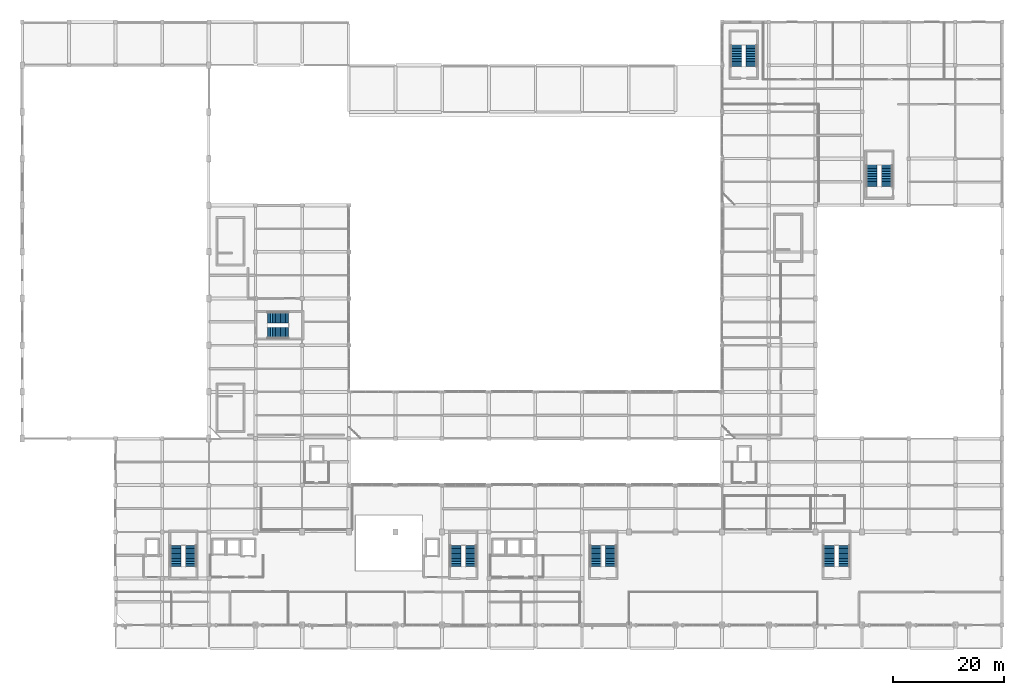
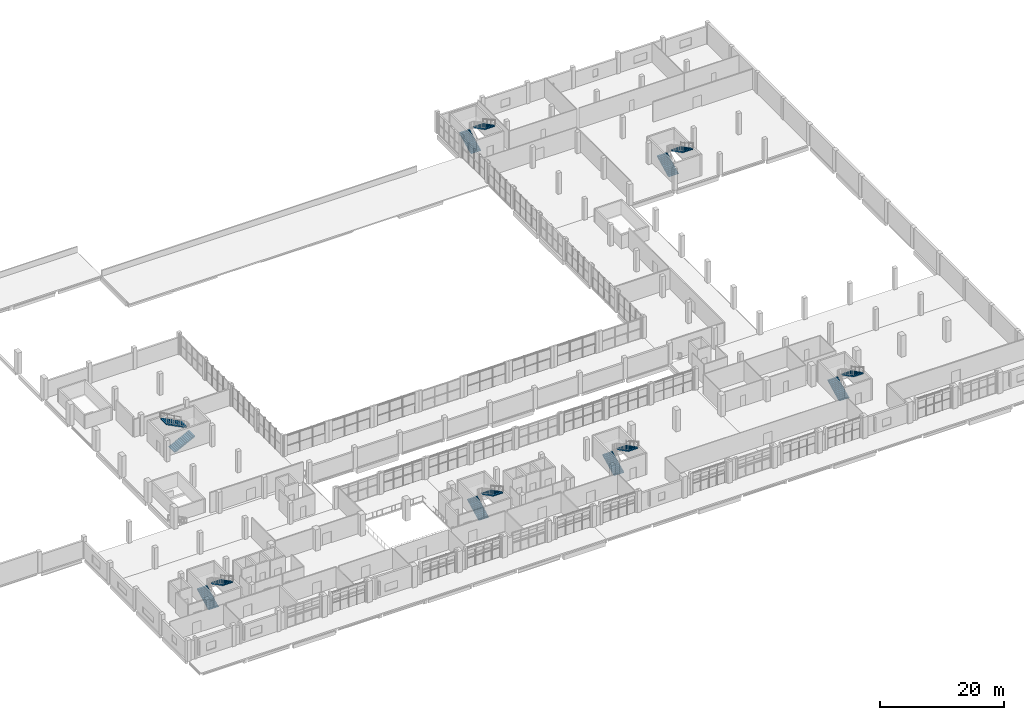
# One storey, part 55 of 59: 14 stair flights, 7 elements without a shape of their own.
"""IFC4 building model written with IfcOpenShell, lengths in metres."""

from ifc_helpers import new_model, si_unit, derived_unit, direction, frame, origin, place, context, subcontext, project, spatial, polyline, outline, extrude, material, type_object, element, aggregate, save


model = new_model("IFC4")

# Units and contexts
model_context = context("Model", 3, precision=1e-05, world=origin(), true_north=direction((0.0, 1.0)))
body_context = subcontext(model_context, "Body", "Model", "MODEL_VIEW")
ifc_project = project(units=[si_unit("LENGTHUNIT", "METRE"), si_unit("AREAUNIT", "SQUARE_METRE"), si_unit("VOLUMEUNIT", "CUBIC_METRE"), si_unit("PLANEANGLEUNIT", "RADIAN"), si_unit("MASSUNIT", "GRAM", prefix="KILO"), derived_unit("THERMALTRANSMITTANCEUNIT", [(si_unit("POWERUNIT", "WATT"), 1), (si_unit("LENGTHUNIT", "METRE"), -2), (si_unit("THERMODYNAMICTEMPERATUREUNIT", "KELVIN"), -1)])], contexts=[model_context])

# Site, building, storey
site_placement = place(None, origin())
site = spatial("IfcSite", under=ifc_project, at=site_placement, CompositionType="ELEMENT")
building_placement = place(site_placement, origin())
building = spatial("IfcBuilding", under=site, at=building_placement, Name="Barrovel Congress Hotel", CompositionType="ELEMENT")
storey_placement = place(building_placement, frame((0.0, 0.0, 9.89990234375)))
storey = spatial("IfcBuildingStorey", under=building, at=storey_placement, Name="L02", CompositionType="ELEMENT", Elevation=9.89990234375)

# Stair, stair flights
ifc_material = material(Name="Concrete C40", Category="concrete")
stair_type_1 = type_object("IfcStairType", Name="STR-HT-420", PredefinedType="HALF_TURN_STAIR", material=ifc_material)
stair_1_placement = place(storey_placement, origin())
stair_1 = element("IfcStair", 1, at=stair_1_placement, inside=storey, type_object=stair_type_1, Name="Exit Stair XS-01 (L02)", PredefinedType="HALF_TURN_STAIR")
stair_flight_type_1 = type_object("IfcStairFlightType", Name="SFL-200x210", PredefinedType="STRAIGHT", material=ifc_material)
stair_flight_1_placement = place(storey_placement, frame((27.68994140625, 14.739990234375, 0.0), z_axis=(0.0, 0.0, 1.0), x_axis=(0.0, 1.0, 0.0)))
stair_flight_1 = element("IfcStairFlight", 2, at=stair_flight_1_placement, type_object=stair_flight_type_1, Name="STAIR:XS-01:L02:F1", NumberOfRisers=14, NumberOfTreads=13, PredefinedType="STRAIGHT", RiserHeight=0.15, TreadLength=0.295, context=body_context, shape_type="SweptSolid", body=[
    extrude(outline(polyline([(0.0, 0.0), (0.0, 0.14990234375), (0.294921875, 0.14990234375), (0.294921875, 0.300048828125), (0.590087890625, 0.300048828125), (0.590087890625, 0.449951171875), (0.885009765625, 0.449951171875), (0.885009765625, 0.60009765625), (1.179931640625, 0.60009765625), (1.179931640625, 0.75), (1.47509765625, 0.75), (1.47509765625, 0.89990234375), (1.77001953125, 0.89990234375), (1.77001953125, 1.050048828125), (2.06494140625, 1.050048828125), (2.06494140625, 1.199951171875), (2.360107421875, 1.199951171875), (2.360107421875, 1.35009765625), (2.655029296875, 1.35009765625), (2.655029296875, 1.5), (2.949951171875, 1.5), (2.949951171875, 1.64990234375), (3.2451171875, 1.64990234375), (3.2451171875, 1.800048828125), (3.5400390625, 1.800048828125), (3.5400390625, 1.949951171875), (3.8349609375, 1.949951171875), (3.8349609375, 2.10009765625), (3.8349609375, 1.748046875), (0.39697265625, 0.0), (0.0, 0.0)])), frame((0.0, 0.93017578125, 0.0), z_axis=(0.0, -1.0, 0.0), x_axis=(1.0, 0.0, 0.0)), (0.0, 0.0, 1.0), 1.860107421875),
])
stair_flight_2_placement = place(storey_placement, frame((30.31005859375, 18.574951171875, 2.10009765625), z_axis=(0.0, 0.0, 1.0), x_axis=(0.0, -1.0, 0.0)))
stair_flight_2 = element("IfcStairFlight", 3, at=stair_flight_2_placement, type_object=stair_flight_type_1, Name="STAIR:XS-01:L02:F2", NumberOfRisers=14, NumberOfTreads=13, PredefinedType="STRAIGHT", RiserHeight=0.15, TreadLength=0.295, context=body_context, shape_type="SweptSolid", body=[
    extrude(outline(polyline([(0.0, 0.0), (0.0, 0.14990234375), (0.294921875, 0.14990234375), (0.294921875, 0.300048828125), (0.590087890625, 0.300048828125), (0.590087890625, 0.449951171875), (0.885009765625, 0.449951171875), (0.885009765625, 0.60009765625), (1.179931640625, 0.60009765625), (1.179931640625, 0.75), (1.47509765625, 0.75), (1.47509765625, 0.89990234375), (1.77001953125, 0.89990234375), (1.77001953125, 1.050048828125), (2.06494140625, 1.050048828125), (2.06494140625, 1.199951171875), (2.360107421875, 1.199951171875), (2.360107421875, 1.35009765625), (2.655029296875, 1.35009765625), (2.655029296875, 1.5), (2.949951171875, 1.5), (2.949951171875, 1.64990234375), (3.2451171875, 1.64990234375), (3.2451171875, 1.800048828125), (3.5400390625, 1.800048828125), (3.5400390625, 1.949951171875), (3.8349609375, 1.949951171875), (3.8349609375, 2.10009765625), (3.8349609375, 1.748046875), (0.39697265625, 0.0), (0.0, 0.0)])), frame((0.0, 0.93017578125, 0.0), z_axis=(0.0, -1.0, 0.0), x_axis=(1.0, 0.0, 0.0)), (0.0, 0.0, 1.0), 1.860107421875),
])
aggregate(stair_1, [stair_flight_1, stair_flight_2])

stair_2_placement = place(storey_placement, origin())
stair_2 = element("IfcStair", 4, at=stair_2_placement, inside=storey, type_object=stair_type_1, Name="Exit Stair XS-02 (L02)", PredefinedType="HALF_TURN_STAIR")
stair_flight_3_placement = place(storey_placement, frame((78.090087890625, 14.739990234375, 0.0), z_axis=(0.0, 0.0, 1.0), x_axis=(0.0, 1.0, 0.0)))
stair_flight_3 = element("IfcStairFlight", 5, at=stair_flight_3_placement, type_object=stair_flight_type_1, Name="STAIR:XS-02:L02:F1", NumberOfRisers=14, NumberOfTreads=13, PredefinedType="STRAIGHT", RiserHeight=0.15, TreadLength=0.295, context=body_context, shape_type="SweptSolid", body=[
    extrude(outline(polyline([(0.0, 0.0), (0.0, 0.14990234375), (0.294921875, 0.14990234375), (0.294921875, 0.300048828125), (0.590087890625, 0.300048828125), (0.590087890625, 0.449951171875), (0.885009765625, 0.449951171875), (0.885009765625, 0.60009765625), (1.179931640625, 0.60009765625), (1.179931640625, 0.75), (1.47509765625, 0.75), (1.47509765625, 0.89990234375), (1.77001953125, 0.89990234375), (1.77001953125, 1.050048828125), (2.06494140625, 1.050048828125), (2.06494140625, 1.199951171875), (2.360107421875, 1.199951171875), (2.360107421875, 1.35009765625), (2.655029296875, 1.35009765625), (2.655029296875, 1.5), (2.949951171875, 1.5), (2.949951171875, 1.64990234375), (3.2451171875, 1.64990234375), (3.2451171875, 1.800048828125), (3.5400390625, 1.800048828125), (3.5400390625, 1.949951171875), (3.8349609375, 1.949951171875), (3.8349609375, 2.10009765625), (3.8349609375, 1.748046875), (0.39697265625, 0.0), (0.0, 0.0)])), frame((0.0, 0.93017578125, 0.0), z_axis=(0.0, -1.0, 0.0), x_axis=(1.0, 0.0, 0.0)), (0.0, 0.0, 1.0), 1.860107421875),
])
stair_flight_4_placement = place(storey_placement, frame((80.7099609375, 18.574951171875, 2.10009765625), z_axis=(0.0, 0.0, 1.0), x_axis=(0.0, -1.0, 0.0)))
stair_flight_4 = element("IfcStairFlight", 6, at=stair_flight_4_placement, type_object=stair_flight_type_1, Name="STAIR:XS-02:L02:F2", NumberOfRisers=14, NumberOfTreads=13, PredefinedType="STRAIGHT", RiserHeight=0.15, TreadLength=0.295, context=body_context, shape_type="SweptSolid", body=[
    extrude(outline(polyline([(0.0, 0.0), (0.0, 0.14990234375), (0.294921875, 0.14990234375), (0.294921875, 0.300048828125), (0.590087890625, 0.300048828125), (0.590087890625, 0.449951171875), (0.885009765625, 0.449951171875), (0.885009765625, 0.60009765625), (1.179931640625, 0.60009765625), (1.179931640625, 0.75), (1.47509765625, 0.75), (1.47509765625, 0.89990234375), (1.77001953125, 0.89990234375), (1.77001953125, 1.050048828125), (2.06494140625, 1.050048828125), (2.06494140625, 1.199951171875), (2.360107421875, 1.199951171875), (2.360107421875, 1.35009765625), (2.655029296875, 1.35009765625), (2.655029296875, 1.5), (2.949951171875, 1.5), (2.949951171875, 1.64990234375), (3.2451171875, 1.64990234375), (3.2451171875, 1.800048828125), (3.5400390625, 1.800048828125), (3.5400390625, 1.949951171875), (3.8349609375, 1.949951171875), (3.8349609375, 2.10009765625), (3.8349609375, 1.748046875), (0.39697265625, 0.0), (0.0, 0.0)])), frame((0.0, 0.93017578125, 0.0), z_axis=(0.0, -1.0, 0.0), x_axis=(1.0, 0.0, 0.0)), (0.0, 0.0, 1.0), 1.860107421875),
])
aggregate(stair_2, [stair_flight_3, stair_flight_4])

stair_3_placement = place(storey_placement, origin())
stair_3 = element("IfcStair", 7, at=stair_3_placement, inside=storey, type_object=stair_type_1, Name="Exit Stair XS-03 (L02)", PredefinedType="HALF_TURN_STAIR")
stair_flight_5_placement = place(storey_placement, frame((103.2900390625, 14.739990234375, 0.0), z_axis=(0.0, 0.0, 1.0), x_axis=(0.0, 1.0, 0.0)))
stair_flight_5 = element("IfcStairFlight", 8, at=stair_flight_5_placement, type_object=stair_flight_type_1, Name="STAIR:XS-03:L02:F1", NumberOfRisers=14, NumberOfTreads=13, PredefinedType="STRAIGHT", RiserHeight=0.15, TreadLength=0.295, context=body_context, shape_type="SweptSolid", body=[
    extrude(outline(polyline([(0.0, 0.0), (0.0, 0.14990234375), (0.294921875, 0.14990234375), (0.294921875, 0.300048828125), (0.590087890625, 0.300048828125), (0.590087890625, 0.449951171875), (0.885009765625, 0.449951171875), (0.885009765625, 0.60009765625), (1.179931640625, 0.60009765625), (1.179931640625, 0.75), (1.47509765625, 0.75), (1.47509765625, 0.89990234375), (1.77001953125, 0.89990234375), (1.77001953125, 1.050048828125), (2.06494140625, 1.050048828125), (2.06494140625, 1.199951171875), (2.360107421875, 1.199951171875), (2.360107421875, 1.35009765625), (2.655029296875, 1.35009765625), (2.655029296875, 1.5), (2.949951171875, 1.5), (2.949951171875, 1.64990234375), (3.2451171875, 1.64990234375), (3.2451171875, 1.800048828125), (3.5400390625, 1.800048828125), (3.5400390625, 1.949951171875), (3.8349609375, 1.949951171875), (3.8349609375, 2.10009765625), (3.8349609375, 1.748046875), (0.39697265625, 0.0), (0.0, 0.0)])), frame((0.0, 0.93017578125, 0.0), z_axis=(0.0, -1.0, 0.0), x_axis=(1.0, 0.0, 0.0)), (0.0, 0.0, 1.0), 1.860107421875),
])
stair_flight_6_placement = place(storey_placement, frame((105.909912109375, 18.574951171875, 2.10009765625), z_axis=(0.0, 0.0, 1.0), x_axis=(0.0, -1.0, 0.0)))
stair_flight_6 = element("IfcStairFlight", 9, at=stair_flight_6_placement, type_object=stair_flight_type_1, Name="STAIR:XS-03:L02:F2", NumberOfRisers=14, NumberOfTreads=13, PredefinedType="STRAIGHT", RiserHeight=0.15, TreadLength=0.295, context=body_context, shape_type="SweptSolid", body=[
    extrude(outline(polyline([(0.0, 0.0), (0.0, 0.14990234375), (0.294921875, 0.14990234375), (0.294921875, 0.300048828125), (0.590087890625, 0.300048828125), (0.590087890625, 0.449951171875), (0.885009765625, 0.449951171875), (0.885009765625, 0.60009765625), (1.179931640625, 0.60009765625), (1.179931640625, 0.75), (1.47509765625, 0.75), (1.47509765625, 0.89990234375), (1.77001953125, 0.89990234375), (1.77001953125, 1.050048828125), (2.06494140625, 1.050048828125), (2.06494140625, 1.199951171875), (2.360107421875, 1.199951171875), (2.360107421875, 1.35009765625), (2.655029296875, 1.35009765625), (2.655029296875, 1.5), (2.949951171875, 1.5), (2.949951171875, 1.64990234375), (3.2451171875, 1.64990234375), (3.2451171875, 1.800048828125), (3.5400390625, 1.800048828125), (3.5400390625, 1.949951171875), (3.8349609375, 1.949951171875), (3.8349609375, 2.10009765625), (3.8349609375, 1.748046875), (0.39697265625, 0.0), (0.0, 0.0)])), frame((0.0, 0.93017578125, 0.0), z_axis=(0.0, -1.0, 0.0), x_axis=(1.0, 0.0, 0.0)), (0.0, 0.0, 1.0), 1.860107421875),
])
aggregate(stair_3, [stair_flight_5, stair_flight_6])

stair_4_placement = place(storey_placement, origin())
stair_4 = element("IfcStair", 10, at=stair_4_placement, inside=storey, type_object=stair_type_1, Name="Exit Stair XS-04 (L02)", PredefinedType="HALF_TURN_STAIR")
stair_flight_7_placement = place(storey_placement, frame((145.2900390625, 14.739990234375, 0.0), z_axis=(0.0, 0.0, 1.0), x_axis=(0.0, 1.0, 0.0)))
stair_flight_7 = element("IfcStairFlight", 11, at=stair_flight_7_placement, type_object=stair_flight_type_1, Name="STAIR:XS-04:L02:F1", NumberOfRisers=14, NumberOfTreads=13, PredefinedType="STRAIGHT", RiserHeight=0.15, TreadLength=0.295, context=body_context, shape_type="SweptSolid", body=[
    extrude(outline(polyline([(0.0, 0.0), (0.0, 0.14990234375), (0.294921875, 0.14990234375), (0.294921875, 0.300048828125), (0.590087890625, 0.300048828125), (0.590087890625, 0.449951171875), (0.885009765625, 0.449951171875), (0.885009765625, 0.60009765625), (1.179931640625, 0.60009765625), (1.179931640625, 0.75), (1.47509765625, 0.75), (1.47509765625, 0.89990234375), (1.77001953125, 0.89990234375), (1.77001953125, 1.050048828125), (2.06494140625, 1.050048828125), (2.06494140625, 1.199951171875), (2.360107421875, 1.199951171875), (2.360107421875, 1.35009765625), (2.655029296875, 1.35009765625), (2.655029296875, 1.5), (2.949951171875, 1.5), (2.949951171875, 1.64990234375), (3.2451171875, 1.64990234375), (3.2451171875, 1.800048828125), (3.5400390625, 1.800048828125), (3.5400390625, 1.949951171875), (3.8349609375, 1.949951171875), (3.8349609375, 2.10009765625), (3.8349609375, 1.748046875), (0.39697265625, 0.0), (0.0, 0.0)])), frame((0.0, 0.93017578125, 0.0), z_axis=(0.0, -1.0, 0.0), x_axis=(1.0, 0.0, 0.0)), (0.0, 0.0, 1.0), 1.860107421875),
])
stair_flight_8_placement = place(storey_placement, frame((147.909912109375, 18.574951171875, 2.10009765625), z_axis=(0.0, 0.0, 1.0), x_axis=(0.0, -1.0, 0.0)))
stair_flight_8 = element("IfcStairFlight", 12, at=stair_flight_8_placement, type_object=stair_flight_type_1, Name="STAIR:XS-04:L02:F2", NumberOfRisers=14, NumberOfTreads=13, PredefinedType="STRAIGHT", RiserHeight=0.15, TreadLength=0.295, context=body_context, shape_type="SweptSolid", body=[
    extrude(outline(polyline([(0.0, 0.0), (0.0, 0.14990234375), (0.294921875, 0.14990234375), (0.294921875, 0.300048828125), (0.590087890625, 0.300048828125), (0.590087890625, 0.449951171875), (0.885009765625, 0.449951171875), (0.885009765625, 0.60009765625), (1.179931640625, 0.60009765625), (1.179931640625, 0.75), (1.47509765625, 0.75), (1.47509765625, 0.89990234375), (1.77001953125, 0.89990234375), (1.77001953125, 1.050048828125), (2.06494140625, 1.050048828125), (2.06494140625, 1.199951171875), (2.360107421875, 1.199951171875), (2.360107421875, 1.35009765625), (2.655029296875, 1.35009765625), (2.655029296875, 1.5), (2.949951171875, 1.5), (2.949951171875, 1.64990234375), (3.2451171875, 1.64990234375), (3.2451171875, 1.800048828125), (3.5400390625, 1.800048828125), (3.5400390625, 1.949951171875), (3.8349609375, 1.949951171875), (3.8349609375, 2.10009765625), (3.8349609375, 1.748046875), (0.39697265625, 0.0), (0.0, 0.0)])), frame((0.0, 0.93017578125, 0.0), z_axis=(0.0, -1.0, 0.0), x_axis=(1.0, 0.0, 0.0)), (0.0, 0.0, 1.0), 1.860107421875),
])
aggregate(stair_4, [stair_flight_7, stair_flight_8])

stair_5_placement = place(storey_placement, origin())
stair_5 = element("IfcStair", 13, at=stair_5_placement, inside=storey, type_object=stair_type_1, Name="Exit Stair XS-06 (L02)", PredefinedType="HALF_TURN_STAIR")
stair_flight_9_placement = place(storey_placement, frame((152.989990234375, 83.179931640625, 0.0), z_axis=(0.0, 0.0, 1.0), x_axis=(0.0, 1.0, 0.0)))
stair_flight_9 = element("IfcStairFlight", 14, at=stair_flight_9_placement, type_object=stair_flight_type_1, Name="STAIR:XS-06:L02:F1", NumberOfRisers=14, NumberOfTreads=13, PredefinedType="STRAIGHT", RiserHeight=0.15, TreadLength=0.295, context=body_context, shape_type="SweptSolid", body=[
    extrude(outline(polyline([(0.0, 0.0), (0.0, 0.14990234375), (0.294921875, 0.14990234375), (0.294921875, 0.300048828125), (0.590087890625, 0.300048828125), (0.590087890625, 0.449951171875), (0.885009765625, 0.449951171875), (0.885009765625, 0.60009765625), (1.179931640625, 0.60009765625), (1.179931640625, 0.75), (1.47509765625, 0.75), (1.47509765625, 0.89990234375), (1.77001953125, 0.89990234375), (1.77001953125, 1.050048828125), (2.06494140625, 1.050048828125), (2.06494140625, 1.199951171875), (2.360107421875, 1.199951171875), (2.360107421875, 1.35009765625), (2.655029296875, 1.35009765625), (2.655029296875, 1.5), (2.949951171875, 1.5), (2.949951171875, 1.64990234375), (3.2451171875, 1.64990234375), (3.2451171875, 1.800048828125), (3.5400390625, 1.800048828125), (3.5400390625, 1.949951171875), (3.8349609375, 1.949951171875), (3.8349609375, 2.10009765625), (3.8349609375, 1.748046875), (0.39697265625, 0.0), (0.0, 0.0)])), frame((0.0, 0.93017578125, 0.0), z_axis=(0.0, -1.0, 0.0), x_axis=(1.0, 0.0, 0.0)), (0.0, 0.0, 1.0), 1.860107421875),
])
stair_flight_10_placement = place(storey_placement, frame((155.610107421875, 87.014892578125, 2.10009765625), z_axis=(0.0, 0.0, 1.0), x_axis=(0.0, -1.0, 0.0)))
stair_flight_10 = element("IfcStairFlight", 15, at=stair_flight_10_placement, type_object=stair_flight_type_1, Name="STAIR:XS-06:L02:F2", NumberOfRisers=14, NumberOfTreads=13, PredefinedType="STRAIGHT", RiserHeight=0.15, TreadLength=0.295, context=body_context, shape_type="SweptSolid", body=[
    extrude(outline(polyline([(0.0, 0.0), (0.0, 0.14990234375), (0.294921875, 0.14990234375), (0.294921875, 0.300048828125), (0.590087890625, 0.300048828125), (0.590087890625, 0.449951171875), (0.885009765625, 0.449951171875), (0.885009765625, 0.60009765625), (1.179931640625, 0.60009765625), (1.179931640625, 0.75), (1.47509765625, 0.75), (1.47509765625, 0.89990234375), (1.77001953125, 0.89990234375), (1.77001953125, 1.050048828125), (2.06494140625, 1.050048828125), (2.06494140625, 1.199951171875), (2.360107421875, 1.199951171875), (2.360107421875, 1.35009765625), (2.655029296875, 1.35009765625), (2.655029296875, 1.5), (2.949951171875, 1.5), (2.949951171875, 1.64990234375), (3.2451171875, 1.64990234375), (3.2451171875, 1.800048828125), (3.5400390625, 1.800048828125), (3.5400390625, 1.949951171875), (3.8349609375, 1.949951171875), (3.8349609375, 2.10009765625), (3.8349609375, 1.748046875), (0.39697265625, 0.0), (0.0, 0.0)])), frame((0.0, 0.93017578125, 0.0), z_axis=(0.0, -1.0, 0.0), x_axis=(1.0, 0.0, 0.0)), (0.0, 0.0, 1.0), 1.860107421875),
])
aggregate(stair_5, [stair_flight_9, stair_flight_10])

stair_type_2 = type_object("IfcStairType", Name="STR-DR-420", PredefinedType="DOUBLE_RETURN_STAIR", material=ifc_material)
stair_6_placement = place(storey_placement, origin())
stair_6 = element("IfcStair", 16, at=stair_6_placement, inside=storey, type_object=stair_type_2, Name="Exit Stair XS-05 (L02)", PredefinedType="DOUBLE_RETURN_STAIR")
stair_flight_type_2 = type_object("IfcStairFlightType", Name="SFL-205x210", PredefinedType="STRAIGHT", material=ifc_material)
stair_flight_11_placement = place(storey_placement, frame((44.139892578125, 56.89990234375, 0.0), z_axis=(0.0, 0.0, 1.0), x_axis=(1.0, 0.0, 0.0)))
stair_flight_11 = element("IfcStairFlight", 17, at=stair_flight_11_placement, type_object=stair_flight_type_2, Name="STAIR:XS-05:L02:F1", NumberOfRisers=14, NumberOfTreads=13, PredefinedType="STRAIGHT", RiserHeight=0.15, TreadLength=0.295, context=body_context, shape_type="SweptSolid", body=[
    extrude(outline(polyline([(0.0, 0.0), (0.0, 0.14990234375), (0.294921875, 0.14990234375), (0.294921875, 0.300048828125), (0.590087890625, 0.300048828125), (0.590087890625, 0.449951171875), (0.885009765625, 0.449951171875), (0.885009765625, 0.60009765625), (1.179931640625, 0.60009765625), (1.179931640625, 0.75), (1.47509765625, 0.75), (1.47509765625, 0.89990234375), (1.77001953125, 0.89990234375), (1.77001953125, 1.050048828125), (2.06494140625, 1.050048828125), (2.06494140625, 1.199951171875), (2.360107421875, 1.199951171875), (2.360107421875, 1.35009765625), (2.655029296875, 1.35009765625), (2.655029296875, 1.5), (2.949951171875, 1.5), (2.949951171875, 1.64990234375), (3.2451171875, 1.64990234375), (3.2451171875, 1.800048828125), (3.5400390625, 1.800048828125), (3.5400390625, 1.949951171875), (3.8349609375, 1.949951171875), (3.8349609375, 2.10009765625), (3.8349609375, 1.748046875), (0.39697265625, 0.0), (0.0, 0.0)])), frame((0.0, 0.93994140625, 0.0), z_axis=(0.0, -1.0, 0.0), x_axis=(1.0, 0.0, 0.0)), (0.0, 0.0, 1.0), 1.8798828125),
])
stair_flight_12_placement = place(storey_placement, frame((47.97509765625, 59.5, 2.10009765625), z_axis=(0.0, 0.0, 1.0), x_axis=(-1.0, 0.0, 0.0)))
stair_flight_12 = element("IfcStairFlight", 18, at=stair_flight_12_placement, type_object=stair_flight_type_2, Name="STAIR:XS-05:L02:F2", NumberOfRisers=14, NumberOfTreads=13, PredefinedType="STRAIGHT", RiserHeight=0.15, TreadLength=0.295, context=body_context, shape_type="SweptSolid", body=[
    extrude(outline(polyline([(0.0, 0.0), (0.0, 0.14990234375), (0.294921875, 0.14990234375), (0.294921875, 0.300048828125), (0.590087890625, 0.300048828125), (0.590087890625, 0.449951171875), (0.885009765625, 0.449951171875), (0.885009765625, 0.60009765625), (1.179931640625, 0.60009765625), (1.179931640625, 0.75), (1.47509765625, 0.75), (1.47509765625, 0.89990234375), (1.77001953125, 0.89990234375), (1.77001953125, 1.050048828125), (2.06494140625, 1.050048828125), (2.06494140625, 1.199951171875), (2.360107421875, 1.199951171875), (2.360107421875, 1.35009765625), (2.655029296875, 1.35009765625), (2.655029296875, 1.5), (2.949951171875, 1.5), (2.949951171875, 1.64990234375), (3.2451171875, 1.64990234375), (3.2451171875, 1.800048828125), (3.5400390625, 1.800048828125), (3.5400390625, 1.949951171875), (3.8349609375, 1.949951171875), (3.8349609375, 2.10009765625), (3.8349609375, 1.748046875), (0.39697265625, 0.0), (0.0, 0.0)])), frame((0.0, 0.93994140625, 0.0), z_axis=(0.0, -1.0, 0.0), x_axis=(1.0, 0.0, 0.0)), (0.0, 0.0, 1.0), 1.8798828125),
])
aggregate(stair_6, [stair_flight_11, stair_flight_12])

stair_7_placement = place(storey_placement, origin())
stair_7 = element("IfcStair", 19, at=stair_7_placement, inside=storey, type_object=stair_type_2, Name="Exit Stair XS-10 (L02)", PredefinedType="DOUBLE_RETURN_STAIR")
stair_flight_13_placement = place(storey_placement, frame((128.60009765625, 104.780029296875, 0.0), z_axis=(0.0, 0.0, 1.0), x_axis=(0.0, 1.0, 0.0)))
stair_flight_13 = element("IfcStairFlight", 20, at=stair_flight_13_placement, type_object=stair_flight_type_2, Name="STAIR:XS-10:L02:F1", NumberOfRisers=14, NumberOfTreads=13, PredefinedType="STRAIGHT", RiserHeight=0.15, TreadLength=0.295, context=body_context, shape_type="SweptSolid", body=[
    extrude(outline(polyline([(0.0, 0.0), (0.0, 0.14990234375), (0.294921875, 0.14990234375), (0.294921875, 0.300048828125), (0.590087890625, 0.300048828125), (0.590087890625, 0.449951171875), (0.885009765625, 0.449951171875), (0.885009765625, 0.60009765625), (1.179931640625, 0.60009765625), (1.179931640625, 0.75), (1.47509765625, 0.75), (1.47509765625, 0.89990234375), (1.77001953125, 0.89990234375), (1.77001953125, 1.050048828125), (2.06494140625, 1.050048828125), (2.06494140625, 1.199951171875), (2.360107421875, 1.199951171875), (2.360107421875, 1.35009765625), (2.655029296875, 1.35009765625), (2.655029296875, 1.5), (2.949951171875, 1.5), (2.949951171875, 1.64990234375), (3.2451171875, 1.64990234375), (3.2451171875, 1.800048828125), (3.5400390625, 1.800048828125), (3.5400390625, 1.949951171875), (3.8349609375, 1.949951171875), (3.8349609375, 2.10009765625), (3.8349609375, 1.748046875), (0.39697265625, 0.0), (0.0, 0.0)])), frame((0.0, 0.93994140625, 0.0), z_axis=(0.0, -1.0, 0.0), x_axis=(1.0, 0.0, 0.0)), (0.0, 0.0, 1.0), 1.8798828125),
])
stair_flight_14_placement = place(storey_placement, frame((131.199951171875, 108.614990234375, 2.10009765625), z_axis=(0.0, 0.0, 1.0), x_axis=(0.0, -1.0, 0.0)))
stair_flight_14 = element("IfcStairFlight", 21, at=stair_flight_14_placement, type_object=stair_flight_type_2, Name="STAIR:XS-10:L02:F2", NumberOfRisers=14, NumberOfTreads=13, PredefinedType="STRAIGHT", RiserHeight=0.15, TreadLength=0.295, context=body_context, shape_type="SweptSolid", body=[
    extrude(outline(polyline([(0.0, 0.0), (0.0, 0.14990234375), (0.294921875, 0.14990234375), (0.294921875, 0.300048828125), (0.590087890625, 0.300048828125), (0.590087890625, 0.449951171875), (0.885009765625, 0.449951171875), (0.885009765625, 0.60009765625), (1.179931640625, 0.60009765625), (1.179931640625, 0.75), (1.47509765625, 0.75), (1.47509765625, 0.89990234375), (1.77001953125, 0.89990234375), (1.77001953125, 1.050048828125), (2.06494140625, 1.050048828125), (2.06494140625, 1.199951171875), (2.360107421875, 1.199951171875), (2.360107421875, 1.35009765625), (2.655029296875, 1.35009765625), (2.655029296875, 1.5), (2.949951171875, 1.5), (2.949951171875, 1.64990234375), (3.2451171875, 1.64990234375), (3.2451171875, 1.800048828125), (3.5400390625, 1.800048828125), (3.5400390625, 1.949951171875), (3.8349609375, 1.949951171875), (3.8349609375, 2.10009765625), (3.8349609375, 1.748046875), (0.39697265625, 0.0), (0.0, 0.0)])), frame((0.0, 0.93994140625, 0.0), z_axis=(0.0, -1.0, 0.0), x_axis=(1.0, 0.0, 0.0)), (0.0, 0.0, 1.0), 1.8798828125),
])
aggregate(stair_7, [stair_flight_13, stair_flight_14])

save(model, "model.ifc")
